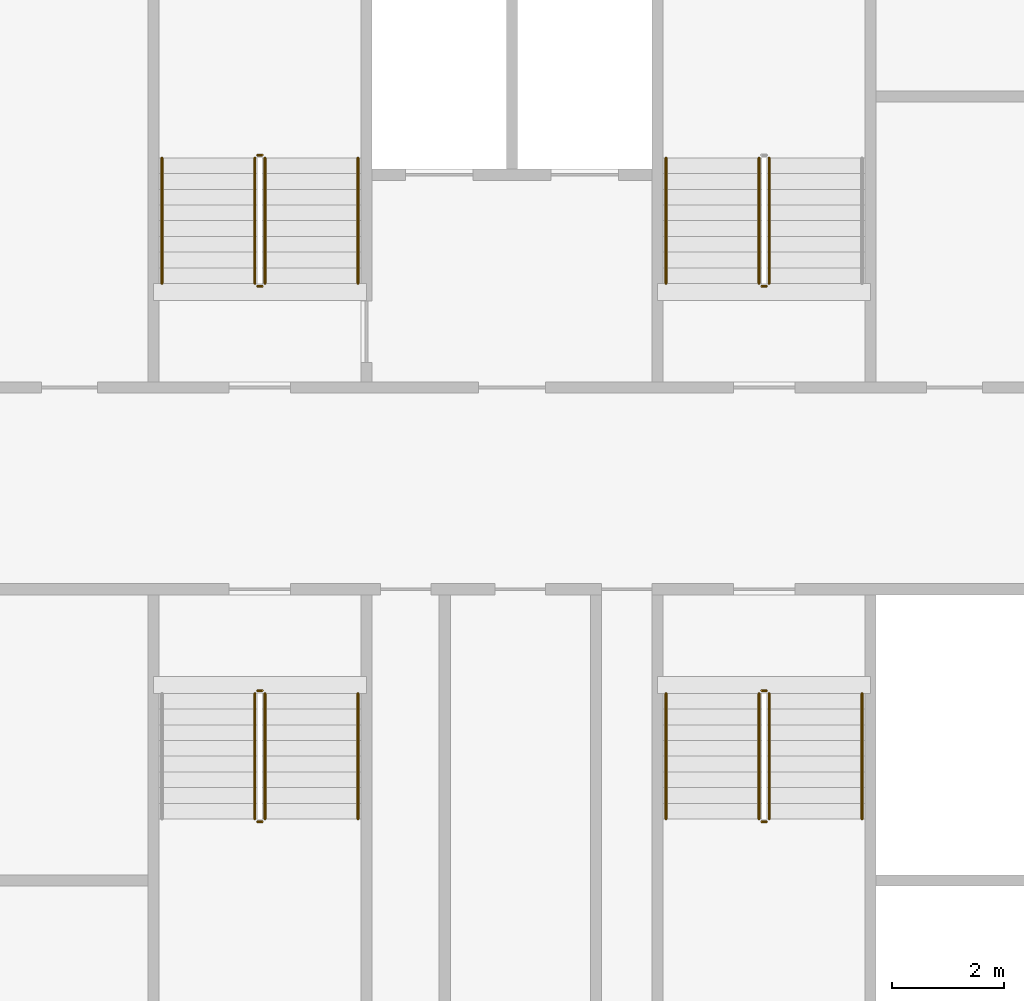
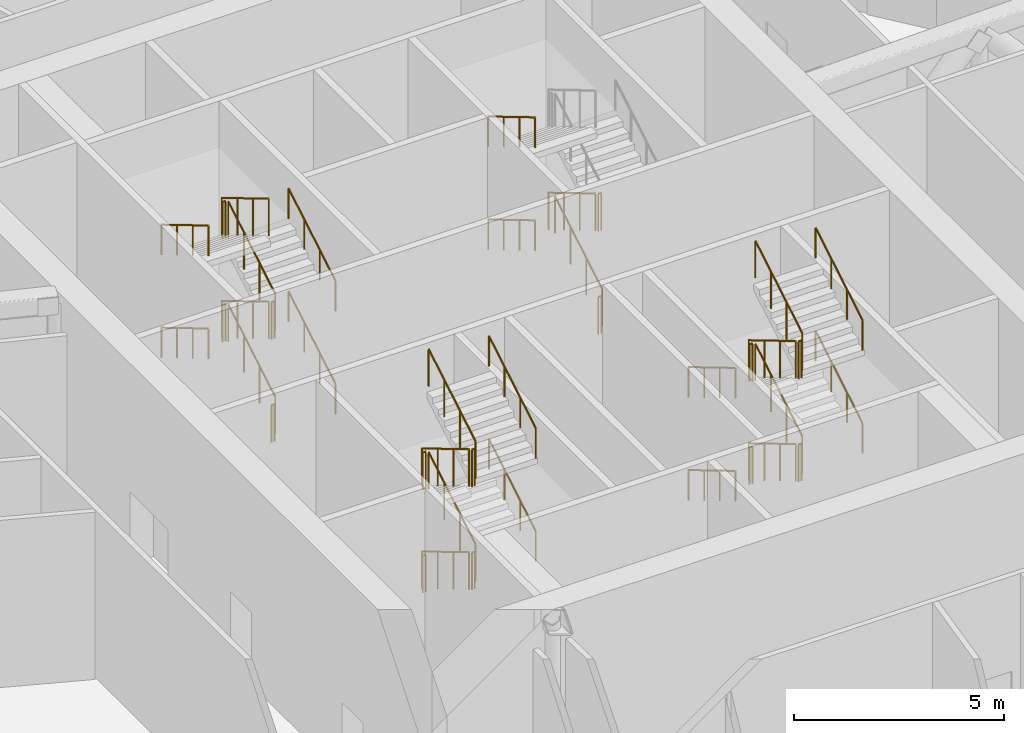
# One storey, part 33 of 36: 40 railings.
"""IFC4 building model written with IfcOpenShell, lengths in metres."""

from ifc_helpers import new_model, si_unit, direction, frame, origin, origin_2d, place, context, subcontext, project, spatial, circle, extrude, material, type_object, element, save


model = new_model("IFC4")

# Units and contexts
model_context = context("Model", 3, precision=1e-05, world=origin(), true_north=direction((0.0, 1.0)))
body_context = subcontext(model_context, "Body", "Model", "MODEL_VIEW")
ifc_project = project(units=[si_unit("LENGTHUNIT", "METRE"), si_unit("AREAUNIT", "SQUARE_METRE"), si_unit("VOLUMEUNIT", "CUBIC_METRE"), si_unit("PLANEANGLEUNIT", "RADIAN"), si_unit("MASSUNIT", "GRAM", prefix="KILO")], contexts=[model_context])

# Site, building, storey
site_placement = place(None, origin())
site = spatial("IfcSite", under=ifc_project, at=site_placement, CompositionType="ELEMENT")
building_placement = place(site_placement, origin())
building = spatial("IfcBuilding", under=site, at=building_placement, Name="Tarsis Ring Headquarters", CompositionType="ELEMENT")
storey_placement = place(building_placement, frame((0.0, 0.0, 194.39990234375)))
storey = spatial("IfcBuildingStorey", under=building, at=storey_placement, Name="L45", CompositionType="ELEMENT", Elevation=194.39990234375)

# Railings
ifc_material = material(Name="Steel S355", Category="steel")
railing_type_1 = type_object("IfcRailingType", Name="Core stair guard 1100", PredefinedType="GUARDRAIL", material=ifc_material)
railing_1_placement = place(storey_placement, frame((-4.409912109375, 3.659912109375, 0.166748046875)))
element("IfcRailing", 1, at=railing_1_placement, inside=storey, type_object=railing_type_1, Name="L45 ST1 stair guard 1", PredefinedType="GUARDRAIL", context=body_context, shape_type="SweptSolid", body=[
    extrude(circle(Radius=0.02392578125, at=origin_2d()), frame((0.0, 0.0, 1.076171875), z_axis=(0.0, 0.859305625298, 0.511462454469), x_axis=(-1.0, 0.0, 0.0)), (0.0, 0.0, 1.0), 2.606689453125),
    extrude(circle(Radius=0.02099609375, at=origin_2d()), origin(), (0.0, 0.0, 1.0), 1.052001953125),
    extrude(circle(Radius=0.02099609375, at=origin_2d()), frame((0.0, 0.74658203125, 0.4443359375)), (0.0, 0.0, 1.0), 1.052001953125),
    extrude(circle(Radius=0.02099609375, at=origin_2d()), frame((0.0, 1.493408203125, 0.888916015625)), (0.0, 0.0, 1.0), 1.052001953125),
    extrude(circle(Radius=0.02099609375, at=origin_2d()), frame((0.0, 2.239990234375, 1.333251953125)), (0.0, 0.0, 1.0), 1.052001953125),
])
railing_2_placement = place(storey_placement, frame((-4.4599609375, 5.949951171875, 1.5)))
element("IfcRailing", 2, at=railing_2_placement, inside=storey, type_object=railing_type_1, Name="L45 ST1 stair guard 2", PredefinedType="GUARDRAIL", context=body_context, shape_type="SweptSolid", body=[
    extrude(circle(Radius=0.02392578125, at=origin_2d()), frame((0.0, 0.0, 1.076171875), z_axis=(-1.0, 0.0, 0.0), x_axis=(0.0, -1.0, 0.0)), (0.0, 0.0, 1.0), 0.080078125),
    extrude(circle(Radius=0.02099609375, at=origin_2d()), origin(), (0.0, 0.0, 1.0), 1.052001953125),
    extrude(circle(Radius=0.02099609375, at=origin_2d()), frame((-0.080078125, 0.0, 0.0)), (0.0, 0.0, 1.0), 1.052001953125),
])
railing_3_placement = place(storey_placement, frame((-4.590087890625, 5.89990234375, 1.666748046875)))
element("IfcRailing", 3, at=railing_3_placement, inside=storey, type_object=railing_type_1, Name="L45 ST1 stair guard 3", PredefinedType="GUARDRAIL", context=body_context, shape_type="SweptSolid", body=[
    extrude(circle(Radius=0.02392578125, at=origin_2d()), frame((0.0, 0.0, 1.076171875), z_axis=(0.0, -0.859305625298, 0.511462454469), x_axis=(1.0, 0.0, 0.0)), (0.0, 0.0, 1.0), 2.606689453125),
    extrude(circle(Radius=0.02099609375, at=origin_2d()), origin(), (0.0, 0.0, 1.0), 1.052001953125),
    extrude(circle(Radius=0.02099609375, at=origin_2d()), frame((0.0, -0.74658203125, 0.4443359375)), (0.0, 0.0, 1.0), 1.052001953125),
    extrude(circle(Radius=0.02099609375, at=origin_2d()), frame((0.0, -1.493408203125, 0.888916015625)), (0.0, 0.0, 1.0), 1.052001953125),
    extrude(circle(Radius=0.02099609375, at=origin_2d()), frame((0.0, -2.239990234375, 1.333251953125)), (0.0, 0.0, 1.0), 1.052001953125),
])
railing_4_placement = place(storey_placement, frame((-4.4599609375, 3.610107421875, 3.0)))
element("IfcRailing", 4, at=railing_4_placement, inside=storey, type_object=railing_type_1, Name="L45 ST1 stair guard 4", PredefinedType="GUARDRAIL", context=body_context, shape_type="SweptSolid", body=[
    extrude(circle(Radius=0.02392578125, at=origin_2d()), frame((0.0, 0.0, 1.076171875), z_axis=(-1.0, 0.0, 0.0), x_axis=(0.0, -1.0, 0.0)), (0.0, 0.0, 1.0), 0.080078125),
    extrude(circle(Radius=0.02099609375, at=origin_2d()), origin(), (0.0, 0.0, 1.0), 1.052001953125),
    extrude(circle(Radius=0.02099609375, at=origin_2d()), frame((-0.080078125, 0.0, 0.0)), (0.0, 0.0, 1.0), 1.052001953125),
])
railing_5_placement = place(storey_placement, frame((-4.409912109375, 3.659912109375, 3.166748046875)))
element("IfcRailing", 5, at=railing_5_placement, inside=storey, type_object=railing_type_1, Name="L45 ST1 stair guard 5", PredefinedType="GUARDRAIL", context=body_context, shape_type="SweptSolid", body=[
    extrude(circle(Radius=0.02392578125, at=origin_2d()), frame((0.0, 0.0, 1.076171875), z_axis=(0.0, 0.859305625298, 0.511462454469), x_axis=(-1.0, 0.0, 0.0)), (0.0, 0.0, 1.0), 2.606689453125),
    extrude(circle(Radius=0.02099609375, at=origin_2d()), origin(), (0.0, 0.0, 1.0), 1.052001953125),
    extrude(circle(Radius=0.02099609375, at=origin_2d()), frame((0.0, 0.74658203125, 0.4443359375)), (0.0, 0.0, 1.0), 1.052001953125),
    extrude(circle(Radius=0.02099609375, at=origin_2d()), frame((0.0, 1.493408203125, 0.888916015625)), (0.0, 0.0, 1.0), 1.052001953125),
    extrude(circle(Radius=0.02099609375, at=origin_2d()), frame((0.0, 2.239990234375, 1.333251953125)), (0.0, 0.0, 1.0), 1.052001953125),
])
railing_6_placement = place(storey_placement, frame((-4.4599609375, 5.949951171875, 4.5)))
element("IfcRailing", 6, at=railing_6_placement, inside=storey, type_object=railing_type_1, Name="L45 ST1 stair guard 6", PredefinedType="GUARDRAIL", context=body_context, shape_type="SweptSolid", body=[
    extrude(circle(Radius=0.02392578125, at=origin_2d()), frame((0.0, 0.0, 1.076171875), z_axis=(-1.0, 0.0, 0.0), x_axis=(0.0, -1.0, 0.0)), (0.0, 0.0, 1.0), 0.080078125),
    extrude(circle(Radius=0.02099609375, at=origin_2d()), origin(), (0.0, 0.0, 1.0), 1.052001953125),
    extrude(circle(Radius=0.02099609375, at=origin_2d()), frame((-0.080078125, 0.0, 0.0)), (0.0, 0.0, 1.0), 1.052001953125),
])
railing_7_placement = place(storey_placement, frame((-4.590087890625, 5.89990234375, 4.666748046875)))
element("IfcRailing", 7, at=railing_7_placement, inside=storey, type_object=railing_type_1, Name="L45 ST1 stair guard 7", PredefinedType="GUARDRAIL", context=body_context, shape_type="SweptSolid", body=[
    extrude(circle(Radius=0.02392578125, at=origin_2d()), frame((0.0, 0.0, 1.076171875), z_axis=(0.0, -0.859305625298, 0.511462454469), x_axis=(1.0, 0.0, 0.0)), (0.0, 0.0, 1.0), 2.606689453125),
    extrude(circle(Radius=0.02099609375, at=origin_2d()), origin(), (0.0, 0.0, 1.0), 1.052001953125),
    extrude(circle(Radius=0.02099609375, at=origin_2d()), frame((0.0, -0.74658203125, 0.4443359375)), (0.0, 0.0, 1.0), 1.052001953125),
    extrude(circle(Radius=0.02099609375, at=origin_2d()), frame((0.0, -1.493408203125, 0.888916015625)), (0.0, 0.0, 1.0), 1.052001953125),
    extrude(circle(Radius=0.02099609375, at=origin_2d()), frame((0.0, -2.239990234375, 1.333251953125)), (0.0, 0.0, 1.0), 1.052001953125),
])
railing_8_placement = place(storey_placement, frame((-4.4599609375, 3.610107421875, 0.0)))
element("IfcRailing", 8, at=railing_8_placement, inside=storey, type_object=railing_type_1, Name="L45 ST1 stair guard 8", PredefinedType="GUARDRAIL", context=body_context, shape_type="SweptSolid", body=[
    extrude(circle(Radius=0.02392578125, at=origin_2d()), frame((0.0, 0.0, 1.076171875), z_axis=(-1.0, 0.0, 0.0), x_axis=(0.0, -1.0, 0.0)), (0.0, 0.0, 1.0), 0.080078125),
    extrude(circle(Radius=0.02099609375, at=origin_2d()), origin(), (0.0, 0.0, 1.0), 1.052001953125),
    extrude(circle(Radius=0.02099609375, at=origin_2d()), frame((-0.080078125, 0.0, 0.0)), (0.0, 0.0, 1.0), 1.052001953125),
])
railing_9_placement = place(storey_placement, frame((4.590087890625, 3.659912109375, 0.166748046875)))
element("IfcRailing", 9, at=railing_9_placement, inside=storey, type_object=railing_type_1, Name="L45 ST2 stair guard 1", PredefinedType="GUARDRAIL", context=body_context, shape_type="SweptSolid", body=[
    extrude(circle(Radius=0.02392578125, at=origin_2d()), frame((0.0, 0.0, 1.076171875), z_axis=(0.0, 0.859305625298, 0.511462454469), x_axis=(-1.0, 0.0, 0.0)), (0.0, 0.0, 1.0), 2.606689453125),
    extrude(circle(Radius=0.02099609375, at=origin_2d()), origin(), (0.0, 0.0, 1.0), 1.052001953125),
    extrude(circle(Radius=0.02099609375, at=origin_2d()), frame((0.0, 0.74658203125, 0.4443359375)), (0.0, 0.0, 1.0), 1.052001953125),
    extrude(circle(Radius=0.02099609375, at=origin_2d()), frame((0.0, 1.493408203125, 0.888916015625)), (0.0, 0.0, 1.0), 1.052001953125),
    extrude(circle(Radius=0.02099609375, at=origin_2d()), frame((0.0, 2.239990234375, 1.333251953125)), (0.0, 0.0, 1.0), 1.052001953125),
])
railing_10_placement = place(storey_placement, frame((4.409912109375, 5.89990234375, 1.666748046875)))
element("IfcRailing", 10, at=railing_10_placement, inside=storey, type_object=railing_type_1, Name="L45 ST2 stair guard 3", PredefinedType="GUARDRAIL", context=body_context, shape_type="SweptSolid", body=[
    extrude(circle(Radius=0.02392578125, at=origin_2d()), frame((0.0, 0.0, 1.076171875), z_axis=(0.0, -0.859305625298, 0.511462454469), x_axis=(1.0, 0.0, 0.0)), (0.0, 0.0, 1.0), 2.606689453125),
    extrude(circle(Radius=0.02099609375, at=origin_2d()), origin(), (0.0, 0.0, 1.0), 1.052001953125),
    extrude(circle(Radius=0.02099609375, at=origin_2d()), frame((0.0, -0.74658203125, 0.4443359375)), (0.0, 0.0, 1.0), 1.052001953125),
    extrude(circle(Radius=0.02099609375, at=origin_2d()), frame((0.0, -1.493408203125, 0.888916015625)), (0.0, 0.0, 1.0), 1.052001953125),
    extrude(circle(Radius=0.02099609375, at=origin_2d()), frame((0.0, -2.239990234375, 1.333251953125)), (0.0, 0.0, 1.0), 1.052001953125),
])
for number, where, name in (
    (11, (4.5400390625, 3.610107421875, 3.0), "L45 ST2 stair guard 4"),
    (12, (4.5400390625, 3.610107421875, 0.0), "L45 ST2 stair guard 8"),
):
    element("IfcRailing", number, at=place(storey_placement, frame(where)), inside=storey, type_object=railing_type_1, Name=name, PredefinedType="GUARDRAIL", context=body_context, shape_type="SweptSolid", body=[
        extrude(circle(Radius=0.02392578125, at=origin_2d()), frame((0.0, 0.0, 1.076171875), z_axis=(-1.0, 0.0, 0.0), x_axis=(0.0, -1.0, 0.0)), (0.0, 0.0, 1.0), 0.080078125),
        extrude(circle(Radius=0.02099609375, at=origin_2d()), origin(), (0.0, 0.0, 1.0), 1.052001953125),
        extrude(circle(Radius=0.02099609375, at=origin_2d()), frame((-0.080078125, 0.0, 0.0)), (0.0, 0.0, 1.0), 1.052001953125),
    ])
railing_11_placement = place(storey_placement, frame((-4.590087890625, -3.659912109375, 0.166748046875)))
element("IfcRailing", 13, at=railing_11_placement, inside=storey, type_object=railing_type_1, Name="L45 ST3 stair guard 1", PredefinedType="GUARDRAIL", context=body_context, shape_type="SweptSolid", body=[
    extrude(circle(Radius=0.02392578125, at=origin_2d()), frame((0.0, 0.0, 1.076171875), z_axis=(0.0, -0.859305625298, 0.511462454469), x_axis=(1.0, 0.0, 0.0)), (0.0, 0.0, 1.0), 2.606689453125),
    extrude(circle(Radius=0.02099609375, at=origin_2d()), origin(), (0.0, 0.0, 1.0), 1.052001953125),
    extrude(circle(Radius=0.02099609375, at=origin_2d()), frame((0.0, -0.74658203125, 0.4443359375)), (0.0, 0.0, 1.0), 1.052001953125),
    extrude(circle(Radius=0.02099609375, at=origin_2d()), frame((0.0, -1.493408203125, 0.888916015625)), (0.0, 0.0, 1.0), 1.052001953125),
    extrude(circle(Radius=0.02099609375, at=origin_2d()), frame((0.0, -2.239990234375, 1.333251953125)), (0.0, 0.0, 1.0), 1.052001953125),
])
railing_12_placement = place(storey_placement, frame((-4.5400390625, -5.949951171875, 1.5)))
element("IfcRailing", 14, at=railing_12_placement, inside=storey, type_object=railing_type_1, Name="L45 ST3 stair guard 2", PredefinedType="GUARDRAIL", context=body_context, shape_type="SweptSolid", body=[
    extrude(circle(Radius=0.02392578125, at=origin_2d()), frame((0.0, 0.0, 1.076171875), z_axis=(1.0, 0.0, 0.0), x_axis=(0.0, 1.0, 0.0)), (0.0, 0.0, 1.0), 0.080078125),
    extrude(circle(Radius=0.02099609375, at=origin_2d()), origin(), (0.0, 0.0, 1.0), 1.052001953125),
    extrude(circle(Radius=0.02099609375, at=origin_2d()), frame((0.080078125, 0.0, 0.0)), (0.0, 0.0, 1.0), 1.052001953125),
])
railing_13_placement = place(storey_placement, frame((-4.409912109375, -5.89990234375, 1.666748046875)))
element("IfcRailing", 15, at=railing_13_placement, inside=storey, type_object=railing_type_1, Name="L45 ST3 stair guard 3", PredefinedType="GUARDRAIL", context=body_context, shape_type="SweptSolid", body=[
    extrude(circle(Radius=0.02392578125, at=origin_2d()), frame((0.0, 0.0, 1.076171875), z_axis=(0.0, 0.859305625298, 0.511462454469), x_axis=(-1.0, 0.0, 0.0)), (0.0, 0.0, 1.0), 2.606689453125),
    extrude(circle(Radius=0.02099609375, at=origin_2d()), origin(), (0.0, 0.0, 1.0), 1.052001953125),
    extrude(circle(Radius=0.02099609375, at=origin_2d()), frame((0.0, 0.74658203125, 0.4443359375)), (0.0, 0.0, 1.0), 1.052001953125),
    extrude(circle(Radius=0.02099609375, at=origin_2d()), frame((0.0, 1.493408203125, 0.888916015625)), (0.0, 0.0, 1.0), 1.052001953125),
    extrude(circle(Radius=0.02099609375, at=origin_2d()), frame((0.0, 2.239990234375, 1.333251953125)), (0.0, 0.0, 1.0), 1.052001953125),
])
railing_14_placement = place(storey_placement, frame((-4.5400390625, -3.610107421875, 3.0)))
element("IfcRailing", 16, at=railing_14_placement, inside=storey, type_object=railing_type_1, Name="L45 ST3 stair guard 4", PredefinedType="GUARDRAIL", context=body_context, shape_type="SweptSolid", body=[
    extrude(circle(Radius=0.02392578125, at=origin_2d()), frame((0.0, 0.0, 1.076171875), z_axis=(1.0, 0.0, 0.0), x_axis=(0.0, 1.0, 0.0)), (0.0, 0.0, 1.0), 0.080078125),
    extrude(circle(Radius=0.02099609375, at=origin_2d()), origin(), (0.0, 0.0, 1.0), 1.052001953125),
    extrude(circle(Radius=0.02099609375, at=origin_2d()), frame((0.080078125, 0.0, 0.0)), (0.0, 0.0, 1.0), 1.052001953125),
])
railing_15_placement = place(storey_placement, frame((-4.590087890625, -3.659912109375, 3.166748046875)))
element("IfcRailing", 17, at=railing_15_placement, inside=storey, type_object=railing_type_1, Name="L45 ST3 stair guard 5", PredefinedType="GUARDRAIL", context=body_context, shape_type="SweptSolid", body=[
    extrude(circle(Radius=0.02392578125, at=origin_2d()), frame((0.0, 0.0, 1.076171875), z_axis=(0.0, -0.859305625298, 0.511462454469), x_axis=(1.0, 0.0, 0.0)), (0.0, 0.0, 1.0), 2.606689453125),
    extrude(circle(Radius=0.02099609375, at=origin_2d()), origin(), (0.0, 0.0, 1.0), 1.052001953125),
    extrude(circle(Radius=0.02099609375, at=origin_2d()), frame((0.0, -0.74658203125, 0.4443359375)), (0.0, 0.0, 1.0), 1.052001953125),
    extrude(circle(Radius=0.02099609375, at=origin_2d()), frame((0.0, -1.493408203125, 0.888916015625)), (0.0, 0.0, 1.0), 1.052001953125),
    extrude(circle(Radius=0.02099609375, at=origin_2d()), frame((0.0, -2.239990234375, 1.333251953125)), (0.0, 0.0, 1.0), 1.052001953125),
])
railing_16_placement = place(storey_placement, frame((-4.5400390625, -5.949951171875, 4.5)))
element("IfcRailing", 18, at=railing_16_placement, inside=storey, type_object=railing_type_1, Name="L45 ST3 stair guard 6", PredefinedType="GUARDRAIL", context=body_context, shape_type="SweptSolid", body=[
    extrude(circle(Radius=0.02392578125, at=origin_2d()), frame((0.0, 0.0, 1.076171875), z_axis=(1.0, 0.0, 0.0), x_axis=(0.0, 1.0, 0.0)), (0.0, 0.0, 1.0), 0.080078125),
    extrude(circle(Radius=0.02099609375, at=origin_2d()), origin(), (0.0, 0.0, 1.0), 1.052001953125),
    extrude(circle(Radius=0.02099609375, at=origin_2d()), frame((0.080078125, 0.0, 0.0)), (0.0, 0.0, 1.0), 1.052001953125),
])
railing_17_placement = place(storey_placement, frame((-4.409912109375, -5.89990234375, 4.666748046875)))
element("IfcRailing", 19, at=railing_17_placement, inside=storey, type_object=railing_type_1, Name="L45 ST3 stair guard 7", PredefinedType="GUARDRAIL", context=body_context, shape_type="SweptSolid", body=[
    extrude(circle(Radius=0.02392578125, at=origin_2d()), frame((0.0, 0.0, 1.076171875), z_axis=(0.0, 0.859305625298, 0.511462454469), x_axis=(-1.0, 0.0, 0.0)), (0.0, 0.0, 1.0), 2.606689453125),
    extrude(circle(Radius=0.02099609375, at=origin_2d()), origin(), (0.0, 0.0, 1.0), 1.052001953125),
    extrude(circle(Radius=0.02099609375, at=origin_2d()), frame((0.0, 0.74658203125, 0.4443359375)), (0.0, 0.0, 1.0), 1.052001953125),
    extrude(circle(Radius=0.02099609375, at=origin_2d()), frame((0.0, 1.493408203125, 0.888916015625)), (0.0, 0.0, 1.0), 1.052001953125),
    extrude(circle(Radius=0.02099609375, at=origin_2d()), frame((0.0, 2.239990234375, 1.333251953125)), (0.0, 0.0, 1.0), 1.052001953125),
])
railing_18_placement = place(storey_placement, frame((-4.5400390625, -3.610107421875, 0.0)))
element("IfcRailing", 20, at=railing_18_placement, inside=storey, type_object=railing_type_1, Name="L45 ST3 stair guard 8", PredefinedType="GUARDRAIL", context=body_context, shape_type="SweptSolid", body=[
    extrude(circle(Radius=0.02392578125, at=origin_2d()), frame((0.0, 0.0, 1.076171875), z_axis=(1.0, 0.0, 0.0), x_axis=(0.0, 1.0, 0.0)), (0.0, 0.0, 1.0), 0.080078125),
    extrude(circle(Radius=0.02099609375, at=origin_2d()), origin(), (0.0, 0.0, 1.0), 1.052001953125),
    extrude(circle(Radius=0.02099609375, at=origin_2d()), frame((0.080078125, 0.0, 0.0)), (0.0, 0.0, 1.0), 1.052001953125),
])
railing_19_placement = place(storey_placement, frame((4.409912109375, -3.659912109375, 0.166748046875)))
element("IfcRailing", 21, at=railing_19_placement, inside=storey, type_object=railing_type_1, Name="L45 ST4 stair guard 1", PredefinedType="GUARDRAIL", context=body_context, shape_type="SweptSolid", body=[
    extrude(circle(Radius=0.02392578125, at=origin_2d()), frame((0.0, 0.0, 1.076171875), z_axis=(0.0, -0.859305625298, 0.511462454469), x_axis=(1.0, 0.0, 0.0)), (0.0, 0.0, 1.0), 2.606689453125),
    extrude(circle(Radius=0.02099609375, at=origin_2d()), origin(), (0.0, 0.0, 1.0), 1.052001953125),
    extrude(circle(Radius=0.02099609375, at=origin_2d()), frame((0.0, -0.74658203125, 0.4443359375)), (0.0, 0.0, 1.0), 1.052001953125),
    extrude(circle(Radius=0.02099609375, at=origin_2d()), frame((0.0, -1.493408203125, 0.888916015625)), (0.0, 0.0, 1.0), 1.052001953125),
    extrude(circle(Radius=0.02099609375, at=origin_2d()), frame((0.0, -2.239990234375, 1.333251953125)), (0.0, 0.0, 1.0), 1.052001953125),
])
railing_20_placement = place(storey_placement, frame((4.4599609375, -5.949951171875, 1.5)))
element("IfcRailing", 22, at=railing_20_placement, inside=storey, type_object=railing_type_1, Name="L45 ST4 stair guard 2", PredefinedType="GUARDRAIL", context=body_context, shape_type="SweptSolid", body=[
    extrude(circle(Radius=0.02392578125, at=origin_2d()), frame((0.0, 0.0, 1.076171875), z_axis=(1.0, 0.0, 0.0), x_axis=(0.0, 1.0, 0.0)), (0.0, 0.0, 1.0), 0.080078125),
    extrude(circle(Radius=0.02099609375, at=origin_2d()), origin(), (0.0, 0.0, 1.0), 1.052001953125),
    extrude(circle(Radius=0.02099609375, at=origin_2d()), frame((0.080078125, 0.0, 0.0)), (0.0, 0.0, 1.0), 1.052001953125),
])
railing_21_placement = place(storey_placement, frame((4.590087890625, -5.89990234375, 1.666748046875)))
element("IfcRailing", 23, at=railing_21_placement, inside=storey, type_object=railing_type_1, Name="L45 ST4 stair guard 3", PredefinedType="GUARDRAIL", context=body_context, shape_type="SweptSolid", body=[
    extrude(circle(Radius=0.02392578125, at=origin_2d()), frame((0.0, 0.0, 1.076171875), z_axis=(0.0, 0.859305625298, 0.511462454469), x_axis=(-1.0, 0.0, 0.0)), (0.0, 0.0, 1.0), 2.606689453125),
    extrude(circle(Radius=0.02099609375, at=origin_2d()), origin(), (0.0, 0.0, 1.0), 1.052001953125),
    extrude(circle(Radius=0.02099609375, at=origin_2d()), frame((0.0, 0.74658203125, 0.4443359375)), (0.0, 0.0, 1.0), 1.052001953125),
    extrude(circle(Radius=0.02099609375, at=origin_2d()), frame((0.0, 1.493408203125, 0.888916015625)), (0.0, 0.0, 1.0), 1.052001953125),
    extrude(circle(Radius=0.02099609375, at=origin_2d()), frame((0.0, 2.239990234375, 1.333251953125)), (0.0, 0.0, 1.0), 1.052001953125),
])
railing_22_placement = place(storey_placement, frame((4.4599609375, -3.610107421875, 3.0)))
element("IfcRailing", 24, at=railing_22_placement, inside=storey, type_object=railing_type_1, Name="L45 ST4 stair guard 4", PredefinedType="GUARDRAIL", context=body_context, shape_type="SweptSolid", body=[
    extrude(circle(Radius=0.02392578125, at=origin_2d()), frame((0.0, 0.0, 1.076171875), z_axis=(1.0, 0.0, 0.0), x_axis=(0.0, 1.0, 0.0)), (0.0, 0.0, 1.0), 0.080078125),
    extrude(circle(Radius=0.02099609375, at=origin_2d()), origin(), (0.0, 0.0, 1.0), 1.052001953125),
    extrude(circle(Radius=0.02099609375, at=origin_2d()), frame((0.080078125, 0.0, 0.0)), (0.0, 0.0, 1.0), 1.052001953125),
])
railing_23_placement = place(storey_placement, frame((4.409912109375, -3.659912109375, 3.166748046875)))
element("IfcRailing", 25, at=railing_23_placement, inside=storey, type_object=railing_type_1, Name="L45 ST4 stair guard 5", PredefinedType="GUARDRAIL", context=body_context, shape_type="SweptSolid", body=[
    extrude(circle(Radius=0.02392578125, at=origin_2d()), frame((0.0, 0.0, 1.076171875), z_axis=(0.0, -0.859305625298, 0.511462454469), x_axis=(1.0, 0.0, 0.0)), (0.0, 0.0, 1.0), 2.606689453125),
    extrude(circle(Radius=0.02099609375, at=origin_2d()), origin(), (0.0, 0.0, 1.0), 1.052001953125),
    extrude(circle(Radius=0.02099609375, at=origin_2d()), frame((0.0, -0.74658203125, 0.4443359375)), (0.0, 0.0, 1.0), 1.052001953125),
    extrude(circle(Radius=0.02099609375, at=origin_2d()), frame((0.0, -1.493408203125, 0.888916015625)), (0.0, 0.0, 1.0), 1.052001953125),
    extrude(circle(Radius=0.02099609375, at=origin_2d()), frame((0.0, -2.239990234375, 1.333251953125)), (0.0, 0.0, 1.0), 1.052001953125),
])
railing_24_placement = place(storey_placement, frame((4.4599609375, -5.949951171875, 4.5)))
element("IfcRailing", 26, at=railing_24_placement, inside=storey, type_object=railing_type_1, Name="L45 ST4 stair guard 6", PredefinedType="GUARDRAIL", context=body_context, shape_type="SweptSolid", body=[
    extrude(circle(Radius=0.02392578125, at=origin_2d()), frame((0.0, 0.0, 1.076171875), z_axis=(1.0, 0.0, 0.0), x_axis=(0.0, 1.0, 0.0)), (0.0, 0.0, 1.0), 0.080078125),
    extrude(circle(Radius=0.02099609375, at=origin_2d()), origin(), (0.0, 0.0, 1.0), 1.052001953125),
    extrude(circle(Radius=0.02099609375, at=origin_2d()), frame((0.080078125, 0.0, 0.0)), (0.0, 0.0, 1.0), 1.052001953125),
])
railing_25_placement = place(storey_placement, frame((4.590087890625, -5.89990234375, 4.666748046875)))
element("IfcRailing", 27, at=railing_25_placement, inside=storey, type_object=railing_type_1, Name="L45 ST4 stair guard 7", PredefinedType="GUARDRAIL", context=body_context, shape_type="SweptSolid", body=[
    extrude(circle(Radius=0.02392578125, at=origin_2d()), frame((0.0, 0.0, 1.076171875), z_axis=(0.0, 0.859305625298, 0.511462454469), x_axis=(-1.0, 0.0, 0.0)), (0.0, 0.0, 1.0), 2.606689453125),
    extrude(circle(Radius=0.02099609375, at=origin_2d()), origin(), (0.0, 0.0, 1.0), 1.052001953125),
    extrude(circle(Radius=0.02099609375, at=origin_2d()), frame((0.0, 0.74658203125, 0.4443359375)), (0.0, 0.0, 1.0), 1.052001953125),
    extrude(circle(Radius=0.02099609375, at=origin_2d()), frame((0.0, 1.493408203125, 0.888916015625)), (0.0, 0.0, 1.0), 1.052001953125),
    extrude(circle(Radius=0.02099609375, at=origin_2d()), frame((0.0, 2.239990234375, 1.333251953125)), (0.0, 0.0, 1.0), 1.052001953125),
])
railing_26_placement = place(storey_placement, frame((4.4599609375, -3.610107421875, 0.0)))
element("IfcRailing", 28, at=railing_26_placement, inside=storey, type_object=railing_type_1, Name="L45 ST4 stair guard 8", PredefinedType="GUARDRAIL", context=body_context, shape_type="SweptSolid", body=[
    extrude(circle(Radius=0.02392578125, at=origin_2d()), frame((0.0, 0.0, 1.076171875), z_axis=(1.0, 0.0, 0.0), x_axis=(0.0, 1.0, 0.0)), (0.0, 0.0, 1.0), 0.080078125),
    extrude(circle(Radius=0.02099609375, at=origin_2d()), origin(), (0.0, 0.0, 1.0), 1.052001953125),
    extrude(circle(Radius=0.02099609375, at=origin_2d()), frame((0.080078125, 0.0, 0.0)), (0.0, 0.0, 1.0), 1.052001953125),
])
railing_type_2 = type_object("IfcRailingType", Name="Core stair handrail 900", PredefinedType="HANDRAIL", material=ifc_material)
railing_27_placement = place(storey_placement, frame((-2.75, 3.659912109375, 0.166748046875)))
element("IfcRailing", 29, at=railing_27_placement, inside=storey, type_object=railing_type_2, Name="L45 ST1 stair handrail 1", PredefinedType="HANDRAIL", context=body_context, shape_type="SweptSolid", body=[
    extrude(circle(Radius=0.02392578125, at=origin_2d()), frame((0.0, 0.0, 0.8759765625), z_axis=(0.0, 0.859305625298, 0.511462454469), x_axis=(-1.0, 0.0, 0.0)), (0.0, 0.0, 1.0), 2.606689453125),
    extrude(circle(Radius=0.02099609375, at=origin_2d()), origin(), (0.0, 0.0, 1.0), 0.851806640625),
    extrude(circle(Radius=0.02099609375, at=origin_2d()), frame((0.0, 0.74658203125, 0.4443359375)), (0.0, 0.0, 1.0), 0.851806640625),
    extrude(circle(Radius=0.02099609375, at=origin_2d()), frame((0.0, 1.493408203125, 0.888916015625)), (0.0, 0.0, 1.0), 0.851806640625),
    extrude(circle(Radius=0.02099609375, at=origin_2d()), frame((0.0, 2.239990234375, 1.333251953125)), (0.0, 0.0, 1.0), 0.851806640625),
])
railing_28_placement = place(storey_placement, frame((-6.25, 5.89990234375, 1.666748046875)))
element("IfcRailing", 30, at=railing_28_placement, inside=storey, type_object=railing_type_2, Name="L45 ST1 stair handrail 2", PredefinedType="HANDRAIL", context=body_context, shape_type="SweptSolid", body=[
    extrude(circle(Radius=0.02392578125, at=origin_2d()), frame((0.0, 0.0, 0.8759765625), z_axis=(0.0, -0.859305625298, 0.511462454469), x_axis=(1.0, 0.0, 0.0)), (0.0, 0.0, 1.0), 2.606689453125),
    extrude(circle(Radius=0.02099609375, at=origin_2d()), origin(), (0.0, 0.0, 1.0), 0.851806640625),
    extrude(circle(Radius=0.02099609375, at=origin_2d()), frame((0.0, -0.74658203125, 0.4443359375)), (0.0, 0.0, 1.0), 0.851806640625),
    extrude(circle(Radius=0.02099609375, at=origin_2d()), frame((0.0, -1.493408203125, 0.888916015625)), (0.0, 0.0, 1.0), 0.851806640625),
    extrude(circle(Radius=0.02099609375, at=origin_2d()), frame((0.0, -2.239990234375, 1.333251953125)), (0.0, 0.0, 1.0), 0.851806640625),
])
railing_29_placement = place(storey_placement, frame((-2.75, 3.659912109375, 3.166748046875)))
element("IfcRailing", 31, at=railing_29_placement, inside=storey, type_object=railing_type_2, Name="L45 ST1 stair handrail 3", PredefinedType="HANDRAIL", context=body_context, shape_type="SweptSolid", body=[
    extrude(circle(Radius=0.02392578125, at=origin_2d()), frame((0.0, 0.0, 0.8759765625), z_axis=(0.0, 0.859305625298, 0.511462454469), x_axis=(-1.0, 0.0, 0.0)), (0.0, 0.0, 1.0), 2.606689453125),
    extrude(circle(Radius=0.02099609375, at=origin_2d()), origin(), (0.0, 0.0, 1.0), 0.851806640625),
    extrude(circle(Radius=0.02099609375, at=origin_2d()), frame((0.0, 0.74658203125, 0.4443359375)), (0.0, 0.0, 1.0), 0.851806640625),
    extrude(circle(Radius=0.02099609375, at=origin_2d()), frame((0.0, 1.493408203125, 0.888916015625)), (0.0, 0.0, 1.0), 0.851806640625),
    extrude(circle(Radius=0.02099609375, at=origin_2d()), frame((0.0, 2.239990234375, 1.333251953125)), (0.0, 0.0, 1.0), 0.851806640625),
])
for number, where, name in (
    (32, (-6.25, 5.89990234375, 4.666748046875), "L45 ST1 stair handrail 4"),
    (33, (2.75, 5.89990234375, 1.666748046875), "L45 ST2 stair handrail 2"),
    (34, (2.75, 5.89990234375, 4.666748046875), "L45 ST2 stair handrail 4"),
):
    element("IfcRailing", number, at=place(storey_placement, frame(where)), inside=storey, type_object=railing_type_2, Name=name, PredefinedType="HANDRAIL", context=body_context, shape_type="SweptSolid", body=[
        extrude(circle(Radius=0.02392578125, at=origin_2d()), frame((0.0, 0.0, 0.8759765625), z_axis=(0.0, -0.859305625298, 0.511462454469), x_axis=(1.0, 0.0, 0.0)), (0.0, 0.0, 1.0), 2.606689453125),
        extrude(circle(Radius=0.02099609375, at=origin_2d()), origin(), (0.0, 0.0, 1.0), 0.851806640625),
        extrude(circle(Radius=0.02099609375, at=origin_2d()), frame((0.0, -0.74658203125, 0.4443359375)), (0.0, 0.0, 1.0), 0.851806640625),
        extrude(circle(Radius=0.02099609375, at=origin_2d()), frame((0.0, -1.493408203125, 0.888916015625)), (0.0, 0.0, 1.0), 0.851806640625),
        extrude(circle(Radius=0.02099609375, at=origin_2d()), frame((0.0, -2.239990234375, 1.333251953125)), (0.0, 0.0, 1.0), 0.851806640625),
    ])
for number, where, name in (
    (35, (-2.75, -5.89990234375, 1.666748046875), "L45 ST3 stair handrail 2"),
    (36, (-2.75, -5.89990234375, 4.666748046875), "L45 ST3 stair handrail 4"),
):
    element("IfcRailing", number, at=place(storey_placement, frame(where)), inside=storey, type_object=railing_type_2, Name=name, PredefinedType="HANDRAIL", context=body_context, shape_type="SweptSolid", body=[
        extrude(circle(Radius=0.02392578125, at=origin_2d()), frame((0.0, 0.0, 0.8759765625), z_axis=(0.0, 0.859305625298, 0.511462454469), x_axis=(-1.0, 0.0, 0.0)), (0.0, 0.0, 1.0), 2.606689453125),
        extrude(circle(Radius=0.02099609375, at=origin_2d()), origin(), (0.0, 0.0, 1.0), 0.851806640625),
        extrude(circle(Radius=0.02099609375, at=origin_2d()), frame((0.0, 0.74658203125, 0.4443359375)), (0.0, 0.0, 1.0), 0.851806640625),
        extrude(circle(Radius=0.02099609375, at=origin_2d()), frame((0.0, 1.493408203125, 0.888916015625)), (0.0, 0.0, 1.0), 0.851806640625),
        extrude(circle(Radius=0.02099609375, at=origin_2d()), frame((0.0, 2.239990234375, 1.333251953125)), (0.0, 0.0, 1.0), 0.851806640625),
    ])
railing_30_placement = place(storey_placement, frame((2.75, -3.659912109375, 0.166748046875)))
element("IfcRailing", 37, at=railing_30_placement, inside=storey, type_object=railing_type_2, Name="L45 ST4 stair handrail 1", PredefinedType="HANDRAIL", context=body_context, shape_type="SweptSolid", body=[
    extrude(circle(Radius=0.02392578125, at=origin_2d()), frame((0.0, 0.0, 0.8759765625), z_axis=(0.0, -0.859305625298, 0.511462454469), x_axis=(1.0, 0.0, 0.0)), (0.0, 0.0, 1.0), 2.606689453125),
    extrude(circle(Radius=0.02099609375, at=origin_2d()), origin(), (0.0, 0.0, 1.0), 0.851806640625),
    extrude(circle(Radius=0.02099609375, at=origin_2d()), frame((0.0, -0.74658203125, 0.4443359375)), (0.0, 0.0, 1.0), 0.851806640625),
    extrude(circle(Radius=0.02099609375, at=origin_2d()), frame((0.0, -1.493408203125, 0.888916015625)), (0.0, 0.0, 1.0), 0.851806640625),
    extrude(circle(Radius=0.02099609375, at=origin_2d()), frame((0.0, -2.239990234375, 1.333251953125)), (0.0, 0.0, 1.0), 0.851806640625),
])
railing_31_placement = place(storey_placement, frame((6.25, -5.89990234375, 1.666748046875)))
element("IfcRailing", 38, at=railing_31_placement, inside=storey, type_object=railing_type_2, Name="L45 ST4 stair handrail 2", PredefinedType="HANDRAIL", context=body_context, shape_type="SweptSolid", body=[
    extrude(circle(Radius=0.02392578125, at=origin_2d()), frame((0.0, 0.0, 0.8759765625), z_axis=(0.0, 0.859305625298, 0.511462454469), x_axis=(-1.0, 0.0, 0.0)), (0.0, 0.0, 1.0), 2.606689453125),
    extrude(circle(Radius=0.02099609375, at=origin_2d()), origin(), (0.0, 0.0, 1.0), 0.851806640625),
    extrude(circle(Radius=0.02099609375, at=origin_2d()), frame((0.0, 0.74658203125, 0.4443359375)), (0.0, 0.0, 1.0), 0.851806640625),
    extrude(circle(Radius=0.02099609375, at=origin_2d()), frame((0.0, 1.493408203125, 0.888916015625)), (0.0, 0.0, 1.0), 0.851806640625),
    extrude(circle(Radius=0.02099609375, at=origin_2d()), frame((0.0, 2.239990234375, 1.333251953125)), (0.0, 0.0, 1.0), 0.851806640625),
])
railing_32_placement = place(storey_placement, frame((2.75, -3.659912109375, 3.166748046875)))
element("IfcRailing", 39, at=railing_32_placement, inside=storey, type_object=railing_type_2, Name="L45 ST4 stair handrail 3", PredefinedType="HANDRAIL", context=body_context, shape_type="SweptSolid", body=[
    extrude(circle(Radius=0.02392578125, at=origin_2d()), frame((0.0, 0.0, 0.8759765625), z_axis=(0.0, -0.859305625298, 0.511462454469), x_axis=(1.0, 0.0, 0.0)), (0.0, 0.0, 1.0), 2.606689453125),
    extrude(circle(Radius=0.02099609375, at=origin_2d()), origin(), (0.0, 0.0, 1.0), 0.851806640625),
    extrude(circle(Radius=0.02099609375, at=origin_2d()), frame((0.0, -0.74658203125, 0.4443359375)), (0.0, 0.0, 1.0), 0.851806640625),
    extrude(circle(Radius=0.02099609375, at=origin_2d()), frame((0.0, -1.493408203125, 0.888916015625)), (0.0, 0.0, 1.0), 0.851806640625),
    extrude(circle(Radius=0.02099609375, at=origin_2d()), frame((0.0, -2.239990234375, 1.333251953125)), (0.0, 0.0, 1.0), 0.851806640625),
])
railing_33_placement = place(storey_placement, frame((6.25, -5.89990234375, 4.666748046875)))
element("IfcRailing", 40, at=railing_33_placement, inside=storey, type_object=railing_type_2, Name="L45 ST4 stair handrail 4", PredefinedType="HANDRAIL", context=body_context, shape_type="SweptSolid", body=[
    extrude(circle(Radius=0.02392578125, at=origin_2d()), frame((0.0, 0.0, 0.8759765625), z_axis=(0.0, 0.859305625298, 0.511462454469), x_axis=(-1.0, 0.0, 0.0)), (0.0, 0.0, 1.0), 2.606689453125),
    extrude(circle(Radius=0.02099609375, at=origin_2d()), origin(), (0.0, 0.0, 1.0), 0.851806640625),
    extrude(circle(Radius=0.02099609375, at=origin_2d()), frame((0.0, 0.74658203125, 0.4443359375)), (0.0, 0.0, 1.0), 0.851806640625),
    extrude(circle(Radius=0.02099609375, at=origin_2d()), frame((0.0, 1.493408203125, 0.888916015625)), (0.0, 0.0, 1.0), 0.851806640625),
    extrude(circle(Radius=0.02099609375, at=origin_2d()), frame((0.0, 2.239990234375, 1.333251953125)), (0.0, 0.0, 1.0), 0.851806640625),
])

save(model, "model.ifc")
